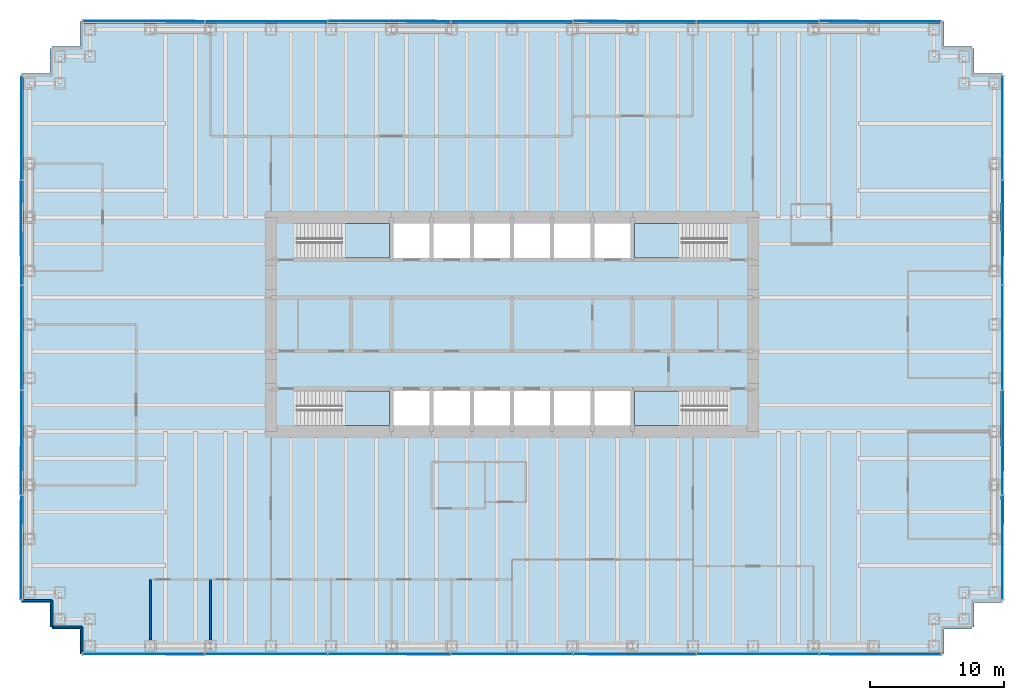
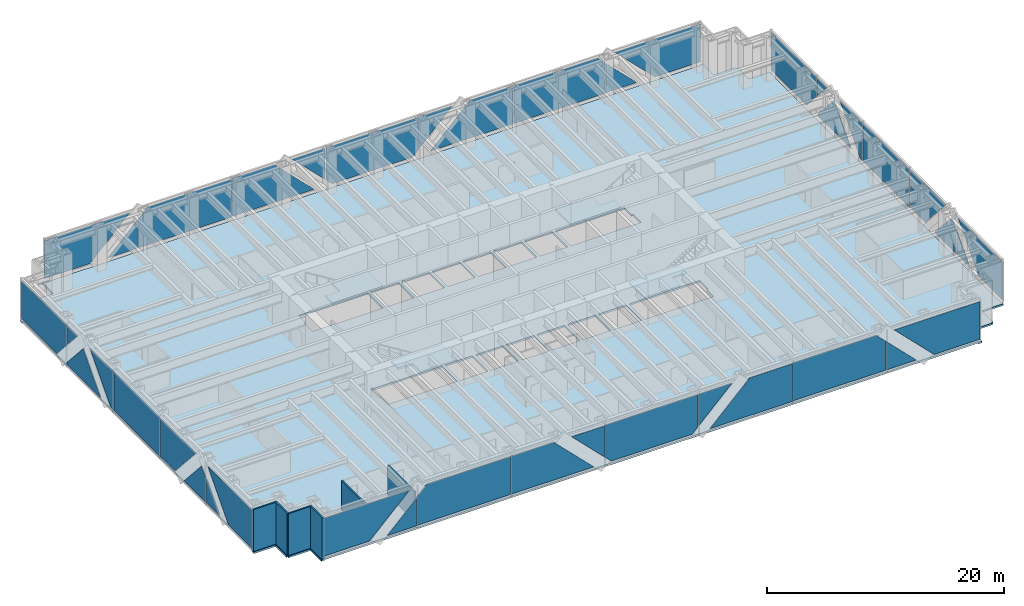
# One storey, part 8 of 13: 40 plates, 6 walls, 5 slabs, 8 elements without a shape of their own.
"""IFC4 building model written with IfcOpenShell, lengths in metres."""

from ifc_helpers import new_model, si_unit, direction, frame, frame_2d, origin, origin_2d, place, context, subcontext, project, spatial, polyline, rectangle, outline, extrude, material, layer, layer_set, type_object, element, aggregate, save


model = new_model("IFC4")

# Units and contexts
model_context = context("Model", 3, precision=1e-05, world=origin(), true_north=direction((0.0, 1.0)))
body_context = subcontext(model_context, "Body", "Model", "MODEL_VIEW")
ifc_project = project(units=[si_unit("LENGTHUNIT", "METRE"), si_unit("AREAUNIT", "SQUARE_METRE"), si_unit("VOLUMEUNIT", "CUBIC_METRE"), si_unit("PLANEANGLEUNIT", "RADIAN"), si_unit("MASSUNIT", "GRAM", prefix="KILO")], contexts=[model_context])

# Site, building, storey
site_placement = place(None, origin())
site = spatial("IfcSite", under=ifc_project, at=site_placement, CompositionType="ELEMENT")
building_placement = place(site_placement, origin())
building = spatial("IfcBuilding", under=site, at=building_placement, Name="Rheinbord Bourse Tower", CompositionType="ELEMENT")
storey_placement = place(building_placement, frame((0.0, 0.0, 68.0)))
storey = spatial("IfcBuildingStorey", under=building, at=storey_placement, Name="L14", CompositionType="ELEMENT", Elevation=68.0)

# Slab
ifc_material_1 = material(Name="Concrete C30/37", Category="concrete")
ifc_layer_1 = layer(ifc_material_1, 0.179931640625)
ifc_layer_set_1 = layer_set([ifc_layer_1], Name="COMPOSITE FLOOR SLAB 180")
slab_type_1 = type_object("IfcSlabType", Name="COMPOSITE FLOOR SLAB 180", PredefinedType="FLOOR", material=ifc_layer_set_1)
slab_1_placement = place(storey_placement, frame((0.0, 0.0, -0.179931640625)))
element("IfcSlab", 1, at=slab_1_placement, inside=storey, type_object=slab_type_1, Name="Floor slab L14", PredefinedType="FLOOR", context=body_context, shape_type="SweptSolid", body=[
    extrude(outline(polyline([(1.64990234375, 1.39990234375), (1.5, 1.39990234375), (1.5, 3.25), (-0.60009765625, 3.25), (-0.60009765625, 3.550048828125), (-0.5, 3.550048828125), (-0.5, 42.449951171875), (-0.60009765625, 42.449951171875), (-0.60009765625, 42.75), (1.5, 42.75), (1.5, 44.60009765625), (1.64990234375, 44.60009765625), (1.64990234375, 44.75), (3.75, 44.75), (3.75, 46.60009765625), (4.050048828125, 46.60009765625), (4.050048828125, 46.5), (67.949951171875, 46.5), (67.949951171875, 46.60009765625), (68.25, 46.60009765625), (68.25, 44.75), (70.35009765625, 44.75), (70.35009765625, 44.60009765625), (70.5, 44.60009765625), (70.5, 42.75), (72.60009765625, 42.75), (72.60009765625, 42.449951171875), (72.5, 42.449951171875), (72.5, 3.550048828125), (72.60009765625, 3.550048828125), (72.60009765625, 3.25), (70.5, 3.25), (70.5, 1.39990234375), (70.35009765625, 1.39990234375), (70.35009765625, 1.25), (68.25, 1.25), (68.25, -0.60009765625), (67.949951171875, -0.60009765625), (67.949951171875, -0.5), (4.050048828125, -0.5), (4.050048828125, -0.60009765625), (3.75, -0.60009765625), (3.75, 1.25), (1.64990234375, 1.25), (1.64990234375, 1.39990234375)]), holes=[polyline([(19.949951171875, 19.050048828125), (26.85009765625, 19.050048828125), (26.85009765625, 16.449951171875), (20.10009765625, 16.449951171875), (20.10009765625, 17.64990234375), (19.949951171875, 17.64990234375), (19.949951171875, 19.050048828125)]), polyline([(26.85009765625, 31.550048828125), (26.85009765625, 28.949951171875), (19.949951171875, 28.949951171875), (19.949951171875, 30.35009765625), (20.10009765625, 30.35009765625), (20.10009765625, 31.550048828125), (26.85009765625, 31.550048828125)]), polyline([(45.14990234375, 16.449951171875), (45.14990234375, 19.050048828125), (52.050048828125, 19.050048828125), (52.050048828125, 17.64990234375), (51.89990234375, 17.64990234375), (51.89990234375, 16.449951171875), (45.14990234375, 16.449951171875)]), polyline([(52.050048828125, 28.949951171875), (45.14990234375, 28.949951171875), (45.14990234375, 31.550048828125), (51.89990234375, 31.550048828125), (51.89990234375, 30.35009765625), (52.050048828125, 30.35009765625), (52.050048828125, 28.949951171875)]), polyline([(27.14990234375, 16.449951171875), (27.14990234375, 19.050048828125), (29.85009765625, 19.050048828125), (29.85009765625, 16.449951171875), (27.14990234375, 16.449951171875)]), polyline([(27.14990234375, 28.949951171875), (27.14990234375, 31.550048828125), (29.85009765625, 31.550048828125), (29.85009765625, 28.949951171875), (27.14990234375, 28.949951171875)]), polyline([(30.14990234375, 16.449951171875), (30.14990234375, 19.050048828125), (32.85009765625, 19.050048828125), (32.85009765625, 16.449951171875), (30.14990234375, 16.449951171875)]), polyline([(30.14990234375, 28.949951171875), (30.14990234375, 31.550048828125), (32.85009765625, 31.550048828125), (32.85009765625, 28.949951171875), (30.14990234375, 28.949951171875)]), polyline([(33.14990234375, 16.449951171875), (33.14990234375, 19.050048828125), (35.85009765625, 19.050048828125), (35.85009765625, 16.449951171875), (33.14990234375, 16.449951171875)]), polyline([(33.14990234375, 28.949951171875), (33.14990234375, 31.550048828125), (35.85009765625, 31.550048828125), (35.85009765625, 28.949951171875), (33.14990234375, 28.949951171875)]), polyline([(36.14990234375, 16.449951171875), (36.14990234375, 19.050048828125), (38.85009765625, 19.050048828125), (38.85009765625, 16.449951171875), (36.14990234375, 16.449951171875)]), polyline([(36.14990234375, 28.949951171875), (36.14990234375, 31.550048828125), (38.85009765625, 31.550048828125), (38.85009765625, 28.949951171875), (36.14990234375, 28.949951171875)]), polyline([(39.14990234375, 16.449951171875), (39.14990234375, 19.050048828125), (41.85009765625, 19.050048828125), (41.85009765625, 16.449951171875), (39.14990234375, 16.449951171875)]), polyline([(39.14990234375, 28.949951171875), (39.14990234375, 31.550048828125), (41.85009765625, 31.550048828125), (41.85009765625, 28.949951171875), (39.14990234375, 28.949951171875)]), polyline([(42.14990234375, 16.449951171875), (42.14990234375, 19.050048828125), (44.85009765625, 19.050048828125), (44.85009765625, 16.449951171875), (42.14990234375, 16.449951171875)]), polyline([(42.14990234375, 28.949951171875), (42.14990234375, 31.550048828125), (44.85009765625, 31.550048828125), (44.85009765625, 28.949951171875), (42.14990234375, 28.949951171875)])]), origin(), (0.0, 0.0, 1.0), 0.179931640625),
])

# Curtain wall, plates
ifc_material_2 = material(Name="Dark glass and black aluminium", Category="aluminium")
curtain_wall_type = type_object("IfcCurtainWallType", Name="CW1 DARK GLASS CURTAIN WALL", PredefinedType="USERDEFINED", material=ifc_material_2)
curtain_wall_1_placement = place(storey_placement, origin())
curtain_wall_1 = element("IfcCurtainWall", 2, at=curtain_wall_1_placement, inside=storey, type_object=curtain_wall_type, Name="Curtain wall CW1 S L14", ObjectType="UNITISED CURTAIN WALL", PredefinedType="USERDEFINED")
ifc_material_3 = material(Name="Dark tinted triple insulating glass", Category="glass")
ifc_layer_2 = layer(ifc_material_3, 0.0439453125)
ifc_layer_set_2 = layer_set([ifc_layer_2], Name="CW1 DARK GLASS PANEL")
plate_type = type_object("IfcPlateType", Name="CW1 DARK GLASS PANEL", PredefinedType="CURTAIN_PANEL", material=ifc_layer_set_2)
plate_1_placement = place(storey_placement, frame((3.97998046875, -0.6220703125, 0.300048828125), z_axis=(0.0, 1.0, 0.0), x_axis=(0.0, 0.0, 1.0)))
plate_1 = element("IfcPlate", 3, at=plate_1_placement, type_object=plate_type, Name="CW1 glass facet 1", PredefinedType="CURTAIN_PANEL", context=body_context, shape_type="SweptSolid", body=[
    extrude(outline(polyline([(0.0, 0.0), (3.89990234375, 0.0), (3.89990234375, 8.364013671875), (0.0, 4.464111328125), (0.0, 0.0)])), origin(), (0.0, 0.0, 1.0), 0.0439453125),
])
plate_2_placement = place(storey_placement, frame((13.031005859375, -0.6708984375, 0.300048828125), z_axis=(0.0, 1.0, 0.0), x_axis=(-1.0, 0.0, 0.0)))
plate_2 = element("IfcPlate", 4, at=plate_2_placement, type_object=plate_type, Name="CW1 glass facet 2", PredefinedType="CURTAIN_PANEL", context=body_context, shape_type="SweptSolid", body=[
    extrude(outline(polyline([(0.0, 0.0), (2.875, 0.0), (0.0, 2.8759765625), (0.0, 0.0)])), origin(), (0.0, 0.0, 1.0), 0.0439453125),
])
plate_3_placement = place(storey_placement, frame((22.202880859375, -0.6220703125, 4.199951171875), z_axis=(0.0, 1.0, 0.0), x_axis=(0.0, 0.0, -1.0)))
plate_3 = element("IfcPlate", 5, at=plate_3_placement, type_object=plate_type, Name="CW1 glass facet 1", PredefinedType="CURTAIN_PANEL", context=body_context, shape_type="SweptSolid", body=[
    extrude(outline(polyline([(0.0, 0.0), (3.89990234375, 0.0), (3.89990234375, 9.091796875), (0.94384765625, 9.091796875), (0.0, 8.14697265625), (0.0, 0.0)])), origin(), (0.0, 0.0, 1.0), 0.0439453125),
])
plate_4_placement = place(storey_placement, frame((22.282958984375, -0.6220703125, 0.300048828125), z_axis=(0.0, 1.0, 0.0), x_axis=(0.0, 0.0, 1.0)))
plate_4 = element("IfcPlate", 6, at=plate_4_placement, type_object=plate_type, Name="CW1 glass facet 1", PredefinedType="CURTAIN_PANEL", context=body_context, shape_type="SweptSolid", body=[
    extrude(outline(polyline([(0.0, 0.0), (3.89990234375, 0.0), (3.89990234375, 4.1611328125), (0.0, 8.06103515625), (0.0, 0.0)])), origin(), (0.0, 0.0, 1.0), 0.0439453125),
])
plate_5_placement = place(storey_placement, frame((31.3740234375, -0.6708984375, 4.199951171875), z_axis=(0.0, 1.0, 0.0), x_axis=(0.0, 0.0, -1.0)))
plate_5 = element("IfcPlate", 7, at=plate_5_placement, type_object=plate_type, Name="CW1 glass facet 2", PredefinedType="CURTAIN_PANEL", context=body_context, shape_type="SweptSolid", body=[
    extrude(outline(polyline([(0.0, 0.0), (3.218994140625, 0.0), (0.0, 3.218017578125), (0.0, 0.0)])), origin(), (0.0, 0.0, 1.0), 0.0439453125),
])
plate_6_placement = place(storey_placement, frame((32.055908203125, -0.6220703125, 0.300048828125), z_axis=(0.0, 1.0, 0.0), x_axis=(-0.707680731212, 0.0, 0.706532364914)))
plate_6 = element("IfcPlate", 8, at=plate_6_placement, type_object=plate_type, Name="CW1 glass facet 1", PredefinedType="CURTAIN_PANEL", context=body_context, shape_type="SweptSolid", body=[
    extrude(outline(polyline([(0.0, 0.0), (0.850341796875, 0.0), (3.181396484375, 2.334716796875), (-3.252685546875, 8.75830078125), (-5.583740234375, 6.423583984375), (-5.582275390625, 5.5732421875), (0.0, 0.0)])), origin(), (0.0, 0.0, 1.0), 0.0439453125),
])
plate_7_placement = place(storey_placement, frame((40.6259765625, -0.6220703125, 4.199951171875), z_axis=(0.0, 1.0, 0.0), x_axis=(1.0, 0.0, 0.0)))
plate_7 = element("IfcPlate", 9, at=plate_7_placement, type_object=plate_type, Name="CW1 glass facet 1", PredefinedType="CURTAIN_PANEL", context=body_context, shape_type="SweptSolid", body=[
    extrude(outline(polyline([(0.0, 0.0), (3.218017578125, 0.0), (0.0, 3.218994140625), (0.0, 0.0)])), origin(), (0.0, 0.0, 1.0), 0.0439453125),
])
plate_8_placement = place(storey_placement, frame((49.717041015625, -0.6708984375, 4.199951171875), z_axis=(0.0, 1.0, 0.0), x_axis=(0.0, 0.0, -1.0)))
plate_8 = element("IfcPlate", 10, at=plate_8_placement, type_object=plate_type, Name="CW1 glass facet 2", PredefinedType="CURTAIN_PANEL", context=body_context, shape_type="SweptSolid", body=[
    extrude(outline(polyline([(0.0, 0.0), (3.89990234375, 0.0), (3.89990234375, 8.06103515625), (0.0, 4.1611328125), (0.0, 0.0)])), origin(), (0.0, 0.0, 1.0), 0.0439453125),
])
plate_9_placement = place(storey_placement, frame((58.888916015625, -0.6220703125, 0.300048828125), z_axis=(0.0, 1.0, 0.0), x_axis=(-1.0, 0.0, 0.0)))
plate_9 = element("IfcPlate", 11, at=plate_9_placement, type_object=plate_type, Name="CW1 glass facet 1", PredefinedType="CURTAIN_PANEL", context=body_context, shape_type="SweptSolid", body=[
    extrude(outline(polyline([(0.0, 0.0), (9.091796875, 0.0), (9.091796875, 3.89990234375), (0.94482421875, 3.89990234375), (0.0, 2.9560546875), (0.0, 0.0)])), origin(), (0.0, 0.0, 1.0), 0.0439453125),
])
plate_10_placement = place(storey_placement, frame((58.968994140625, -0.6220703125, 0.300048828125), z_axis=(0.0, 1.0, 0.0), x_axis=(0.0, 0.0, 1.0)))
plate_10 = element("IfcPlate", 12, at=plate_10_placement, type_object=plate_type, Name="CW1 glass facet 1", PredefinedType="CURTAIN_PANEL", context=body_context, shape_type="SweptSolid", body=[
    extrude(outline(polyline([(0.0, 0.0), (2.8759765625, 0.0), (0.0, 2.875), (0.0, 0.0)])), origin(), (0.0, 0.0, 1.0), 0.0439453125),
])
plate_11_placement = place(storey_placement, frame((68.02001953125, -0.6708984375, 4.199951171875), z_axis=(0.0, 1.0, 0.0), x_axis=(0.0, 0.0, -1.0)))
plate_11 = element("IfcPlate", 13, at=plate_11_placement, type_object=plate_type, Name="CW1 glass facet 2", PredefinedType="CURTAIN_PANEL", context=body_context, shape_type="SweptSolid", body=[
    extrude(outline(polyline([(0.0, 0.0), (3.89990234375, 0.0), (3.89990234375, 4.464111328125), (0.0, 8.364013671875), (0.0, 0.0)])), origin(), (0.0, 0.0, 1.0), 0.0439453125),
])
aggregate(curtain_wall_1, [plate_1, plate_2, plate_3, plate_4, plate_5, plate_6, plate_7, plate_8, plate_9, plate_10, plate_11])

curtain_wall_2_placement = place(storey_placement, origin())
curtain_wall_2 = element("IfcCurtainWall", 14, at=curtain_wall_2_placement, inside=storey, type_object=curtain_wall_type, Name="Curtain wall CW1 E L14", ObjectType="UNITISED CURTAIN WALL", PredefinedType="USERDEFINED")
plate_12_placement = place(storey_placement, frame((72.60009765625, 23.0, 0.300048828125), z_axis=(0.0, 0.0, 1.0), x_axis=(0.0, 1.0, 0.0)))
plate_12 = element("IfcPlate", 15, at=plate_12_placement, type_object=plate_type, Name="CW1 panel 3.1", PredefinedType="CURTAIN_PANEL", context=body_context, shape_type="SweptSolid", body=[
    extrude(rectangle(XDim=7.760009765625, YDim=0.0439453125, at=origin_2d()), origin(), (0.0, 0.0, 1.0), 3.89990234375),
])
plate_13_placement = place(storey_placement, frame((72.6220703125, 3.47998046875, 0.300048828125), z_axis=(-1.0, 0.0, 0.0), x_axis=(0.0, 0.0, 1.0)))
plate_13 = element("IfcPlate", 16, at=plate_13_placement, type_object=plate_type, Name="CW1 glass facet 1", PredefinedType="CURTAIN_PANEL", context=body_context, shape_type="SweptSolid", body=[
    extrude(outline(polyline([(0.0, 0.0), (3.89990234375, 0.0), (3.89990234375, 7.444091796875), (0.0, 3.97705078125), (0.0, 0.0)])), origin(), (0.0, 0.0, 1.0), 0.0439453125),
])
plate_14_placement = place(storey_placement, frame((72.6708984375, 11.199951171875, 0.300048828125), z_axis=(-1.0, 0.0, 0.0), x_axis=(0.0, -1.0, 0.0)))
plate_14 = element("IfcPlate", 17, at=plate_14_placement, type_object=plate_type, Name="CW1 glass facet 2", PredefinedType="CURTAIN_PANEL", context=body_context, shape_type="SweptSolid", body=[
    extrude(outline(polyline([(0.0, 0.0), (2.1240234375, 0.0), (0.0, 2.388916015625), (0.0, 0.0)])), origin(), (0.0, 0.0, 1.0), 0.0439453125),
])
plate_15_placement = place(storey_placement, frame((72.6220703125, 11.280029296875, 0.300048828125), z_axis=(-1.0, 0.0, 0.0), x_axis=(0.0, 0.0, 1.0)))
plate_15 = element("IfcPlate", 18, at=plate_15_placement, type_object=plate_type, Name="CW1 glass facet 1", PredefinedType="CURTAIN_PANEL", context=body_context, shape_type="SweptSolid", body=[
    extrude(outline(polyline([(0.0, 0.0), (2.47900390625, 0.0), (3.2890625, 0.719970703125), (0.0, 3.64404296875), (0.0, 0.0)])), origin(), (0.0, 0.0, 1.0), 0.0439453125),
])
plate_16_placement = place(storey_placement, frame((72.6708984375, 19.0400390625, 4.199951171875), z_axis=(-1.0, 0.0, 0.0), x_axis=(0.0, 0.0, -1.0)))
plate_16 = element("IfcPlate", 19, at=plate_16_placement, type_object=plate_type, Name="CW1 glass facet 2", PredefinedType="CURTAIN_PANEL", context=body_context, shape_type="SweptSolid", body=[
    extrude(outline(polyline([(0.0, 0.0), (3.89990234375, 0.0), (3.89990234375, 2.4970703125), (0.0, 5.964111328125), (0.0, 0.0)])), origin(), (0.0, 0.0, 1.0), 0.0439453125),
])
plate_17_placement = place(storey_placement, frame((72.6220703125, 26.9599609375, 0.300048828125), z_axis=(-1.0, 0.0, 0.0), x_axis=(0.0, 0.0, 1.0)))
plate_17 = element("IfcPlate", 20, at=plate_17_placement, type_object=plate_type, Name="CW1 glass facet 1", PredefinedType="CURTAIN_PANEL", context=body_context, shape_type="SweptSolid", body=[
    extrude(outline(polyline([(0.0, 0.0), (3.89990234375, 0.0), (3.89990234375, 3.964111328125), (0.0, 0.4970703125), (0.0, 0.0)])), origin(), (0.0, 0.0, 1.0), 0.0439453125),
])
plate_18_placement = place(storey_placement, frame((72.6708984375, 34.719970703125, 0.300048828125), z_axis=(-1.0, 0.0, 0.0), x_axis=(0.0, -1.0, 0.0)))
plate_18 = element("IfcPlate", 21, at=plate_18_placement, type_object=plate_type, Name="CW1 glass facet 2", PredefinedType="CURTAIN_PANEL", context=body_context, shape_type="SweptSolid", body=[
    extrude(outline(polyline([(0.0, 0.0), (5.64404296875, 0.0), (2.719970703125, 3.2890625), (0.0, 0.22900390625), (0.0, 0.0)])), origin(), (0.0, 0.0, 1.0), 0.0439453125),
])
plate_19_placement = place(storey_placement, frame((72.6220703125, 34.719970703125, 4.199951171875), z_axis=(-1.0, 0.0, 0.0), x_axis=(0.0, 0.0, -1.0)))
plate_19 = element("IfcPlate", 22, at=plate_19_placement, type_object=plate_type, Name="CW1 glass facet 3", PredefinedType="CURTAIN_PANEL", context=body_context, shape_type="SweptSolid", body=[
    extrude(outline(polyline([(0.0, 0.0), (1.848876953125, 0.0), (0.0, 1.64404296875), (0.0, 0.0)])), origin(), (0.0, 0.0, 1.0), 0.0439453125),
])
plate_20_placement = place(storey_placement, frame((72.6220703125, 34.800048828125, 4.199951171875), z_axis=(-1.0, 0.0, 0.0), x_axis=(0.0, 1.0, 0.0)))
plate_20 = element("IfcPlate", 23, at=plate_20_placement, type_object=plate_type, Name="CW1 glass facet 1", PredefinedType="CURTAIN_PANEL", context=body_context, shape_type="SweptSolid", body=[
    extrude(outline(polyline([(0.0, 0.0), (7.719970703125, 0.0), (7.719970703125, 3.89990234375), (1.742919921875, 3.89990234375), (0.0, 1.93896484375), (0.0, 0.0)])), origin(), (0.0, 0.0, 1.0), 0.0439453125),
])
aggregate(curtain_wall_2, [plate_12, plate_13, plate_14, plate_15, plate_16, plate_17, plate_18, plate_19, plate_20])

curtain_wall_3_placement = place(storey_placement, origin())
curtain_wall_3 = element("IfcCurtainWall", 24, at=curtain_wall_3_placement, inside=storey, type_object=curtain_wall_type, Name="Curtain wall CW1 N L14", ObjectType="UNITISED CURTAIN WALL", PredefinedType="USERDEFINED")
plate_21_placement = place(storey_placement, frame((68.02001953125, 46.6220703125, 0.300048828125), z_axis=(0.0, -1.0, 0.0), x_axis=(0.0, 0.0, 1.0)))
plate_21 = element("IfcPlate", 25, at=plate_21_placement, type_object=plate_type, Name="CW1 glass facet 1", PredefinedType="CURTAIN_PANEL", context=body_context, shape_type="SweptSolid", body=[
    extrude(outline(polyline([(0.0, 0.0), (3.89990234375, 0.0), (3.89990234375, 8.364013671875), (0.0, 4.464111328125), (0.0, 0.0)])), origin(), (0.0, 0.0, 1.0), 0.0439453125),
])
plate_22_placement = place(storey_placement, frame((58.968994140625, 46.6708984375, 0.300048828125), z_axis=(0.0, -1.0, 0.0), x_axis=(1.0, 0.0, 0.0)))
plate_22 = element("IfcPlate", 26, at=plate_22_placement, type_object=plate_type, Name="CW1 glass facet 2", PredefinedType="CURTAIN_PANEL", context=body_context, shape_type="SweptSolid", body=[
    extrude(outline(polyline([(0.0, 0.0), (2.875, 0.0), (0.0, 2.8759765625), (0.0, 0.0)])), origin(), (0.0, 0.0, 1.0), 0.0439453125),
])
plate_23_placement = place(storey_placement, frame((49.797119140625, 46.6220703125, 4.199951171875), z_axis=(0.0, -1.0, 0.0), x_axis=(0.0, 0.0, -1.0)))
plate_23 = element("IfcPlate", 27, at=plate_23_placement, type_object=plate_type, Name="CW1 glass facet 1", PredefinedType="CURTAIN_PANEL", context=body_context, shape_type="SweptSolid", body=[
    extrude(outline(polyline([(0.0, 0.0), (3.89990234375, 0.0), (3.89990234375, 9.091796875), (0.94384765625, 9.091796875), (0.0, 8.14697265625), (0.0, 0.0)])), origin(), (0.0, 0.0, 1.0), 0.0439453125),
])
plate_24_placement = place(storey_placement, frame((49.717041015625, 46.6220703125, 0.300048828125), z_axis=(0.0, -1.0, 0.0), x_axis=(0.0, 0.0, 1.0)))
plate_24 = element("IfcPlate", 28, at=plate_24_placement, type_object=plate_type, Name="CW1 glass facet 1", PredefinedType="CURTAIN_PANEL", context=body_context, shape_type="SweptSolid", body=[
    extrude(outline(polyline([(0.0, 0.0), (3.89990234375, 0.0), (3.89990234375, 4.1611328125), (0.0, 8.06103515625), (0.0, 0.0)])), origin(), (0.0, 0.0, 1.0), 0.0439453125),
])
plate_25_placement = place(storey_placement, frame((40.6259765625, 46.6708984375, 4.199951171875), z_axis=(0.0, -1.0, 0.0), x_axis=(0.0, 0.0, -1.0)))
plate_25 = element("IfcPlate", 29, at=plate_25_placement, type_object=plate_type, Name="CW1 glass facet 2", PredefinedType="CURTAIN_PANEL", context=body_context, shape_type="SweptSolid", body=[
    extrude(outline(polyline([(0.0, 0.0), (3.218994140625, 0.0), (0.0, 3.218017578125), (0.0, 0.0)])), origin(), (0.0, 0.0, 1.0), 0.0439453125),
])
plate_26_placement = place(storey_placement, frame((39.944091796875, 46.6220703125, 0.300048828125), z_axis=(0.0, -1.0, 0.0), x_axis=(0.707680731212, 0.0, 0.706532364914)))
plate_26 = element("IfcPlate", 30, at=plate_26_placement, type_object=plate_type, Name="CW1 glass facet 1", PredefinedType="CURTAIN_PANEL", context=body_context, shape_type="SweptSolid", body=[
    extrude(outline(polyline([(0.0, 0.0), (0.850341796875, 0.0), (3.181396484375, 2.334716796875), (-3.252685546875, 8.75830078125), (-5.583740234375, 6.423583984375), (-5.582275390625, 5.5732421875), (0.0, 0.0)])), origin(), (0.0, 0.0, 1.0), 0.0439453125),
])
plate_27_placement = place(storey_placement, frame((31.3740234375, 46.6220703125, 4.199951171875), z_axis=(0.0, -1.0, 0.0), x_axis=(-1.0, 0.0, 0.0)))
plate_27 = element("IfcPlate", 31, at=plate_27_placement, type_object=plate_type, Name="CW1 glass facet 1", PredefinedType="CURTAIN_PANEL", context=body_context, shape_type="SweptSolid", body=[
    extrude(outline(polyline([(0.0, 0.0), (3.218017578125, 0.0), (0.0, 3.218994140625), (0.0, 0.0)])), origin(), (0.0, 0.0, 1.0), 0.0439453125),
])
plate_28_placement = place(storey_placement, frame((22.282958984375, 46.6708984375, 4.199951171875), z_axis=(0.0, -1.0, 0.0), x_axis=(0.0, 0.0, -1.0)))
plate_28 = element("IfcPlate", 32, at=plate_28_placement, type_object=plate_type, Name="CW1 glass facet 2", PredefinedType="CURTAIN_PANEL", context=body_context, shape_type="SweptSolid", body=[
    extrude(outline(polyline([(0.0, 0.0), (3.89990234375, 0.0), (3.89990234375, 8.06103515625), (0.0, 4.1611328125), (0.0, 0.0)])), origin(), (0.0, 0.0, 1.0), 0.0439453125),
])
plate_29_placement = place(storey_placement, frame((13.111083984375, 46.6220703125, 0.300048828125), z_axis=(0.0, -1.0, 0.0), x_axis=(1.0, 0.0, 0.0)))
plate_29 = element("IfcPlate", 33, at=plate_29_placement, type_object=plate_type, Name="CW1 glass facet 1", PredefinedType="CURTAIN_PANEL", context=body_context, shape_type="SweptSolid", body=[
    extrude(outline(polyline([(0.0, 0.0), (9.091796875, 0.0), (9.091796875, 3.89990234375), (0.94482421875, 3.89990234375), (0.0, 2.9560546875), (0.0, 0.0)])), origin(), (0.0, 0.0, 1.0), 0.0439453125),
])
plate_30_placement = place(storey_placement, frame((13.031005859375, 46.6220703125, 0.300048828125), z_axis=(0.0, -1.0, 0.0), x_axis=(0.0, 0.0, 1.0)))
plate_30 = element("IfcPlate", 34, at=plate_30_placement, type_object=plate_type, Name="CW1 glass facet 1", PredefinedType="CURTAIN_PANEL", context=body_context, shape_type="SweptSolid", body=[
    extrude(outline(polyline([(0.0, 0.0), (2.8759765625, 0.0), (0.0, 2.875), (0.0, 0.0)])), origin(), (0.0, 0.0, 1.0), 0.0439453125),
])
plate_31_placement = place(storey_placement, frame((3.97998046875, 46.6708984375, 4.199951171875), z_axis=(0.0, -1.0, 0.0), x_axis=(0.0, 0.0, -1.0)))
plate_31 = element("IfcPlate", 35, at=plate_31_placement, type_object=plate_type, Name="CW1 glass facet 2", PredefinedType="CURTAIN_PANEL", context=body_context, shape_type="SweptSolid", body=[
    extrude(outline(polyline([(0.0, 0.0), (3.89990234375, 0.0), (3.89990234375, 4.464111328125), (0.0, 8.364013671875), (0.0, 0.0)])), origin(), (0.0, 0.0, 1.0), 0.0439453125),
])
aggregate(curtain_wall_3, [plate_21, plate_22, plate_23, plate_24, plate_25, plate_26, plate_27, plate_28, plate_29, plate_30, plate_31])

curtain_wall_4_placement = place(storey_placement, origin())
curtain_wall_4 = element("IfcCurtainWall", 36, at=curtain_wall_4_placement, inside=storey, type_object=curtain_wall_type, Name="Curtain wall CW1 W L14", ObjectType="UNITISED CURTAIN WALL", PredefinedType="USERDEFINED")
plate_32_placement = place(storey_placement, frame((-0.60009765625, 23.0, 0.300048828125), z_axis=(0.0, 0.0, 1.0), x_axis=(0.0, -1.0, 0.0)))
plate_32 = element("IfcPlate", 37, at=plate_32_placement, type_object=plate_type, Name="CW1 panel 3.1", PredefinedType="CURTAIN_PANEL", context=body_context, shape_type="SweptSolid", body=[
    extrude(rectangle(XDim=7.760009765625, YDim=0.0439453125, at=origin_2d()), origin(), (0.0, 0.0, 1.0), 3.89990234375),
])
plate_33_placement = place(storey_placement, frame((-0.6220703125, 42.52001953125, 0.300048828125), z_axis=(1.0, 0.0, 0.0), x_axis=(0.0, 0.0, 1.0)))
plate_33 = element("IfcPlate", 38, at=plate_33_placement, type_object=plate_type, Name="CW1 glass facet 1", PredefinedType="CURTAIN_PANEL", context=body_context, shape_type="SweptSolid", body=[
    extrude(outline(polyline([(0.0, 0.0), (3.89990234375, 0.0), (3.89990234375, 7.719970703125), (1.9609375, 7.719970703125), (0.0, 5.97705078125), (0.0, 0.0)])), origin(), (0.0, 0.0, 1.0), 0.0439453125),
])
plate_34_placement = place(storey_placement, frame((-0.6220703125, 34.719970703125, 4.199951171875), z_axis=(1.0, 0.0, 0.0), x_axis=(0.0, -1.0, 0.0)))
plate_34 = element("IfcPlate", 39, at=plate_34_placement, type_object=plate_type, Name="CW1 glass facet 1", PredefinedType="CURTAIN_PANEL", context=body_context, shape_type="SweptSolid", body=[
    extrude(outline(polyline([(0.0, 0.0), (1.64404296875, 0.0), (0.0, 1.848876953125), (0.0, 0.0)])), origin(), (0.0, 0.0, 1.0), 0.0439453125),
])
plate_35_placement = place(storey_placement, frame((-0.6708984375, 34.719970703125, 0.300048828125), z_axis=(1.0, 0.0, 0.0), x_axis=(0.0, 0.0, 1.0)))
plate_35 = element("IfcPlate", 40, at=plate_35_placement, type_object=plate_type, Name="CW1 glass facet 2", PredefinedType="CURTAIN_PANEL", context=body_context, shape_type="SweptSolid", body=[
    extrude(outline(polyline([(0.0, 0.0), (0.22900390625, 0.0), (3.2890625, 2.719970703125), (0.0, 5.64404296875), (0.0, 0.0)])), origin(), (0.0, 0.0, 1.0), 0.0439453125),
])
plate_36_placement = place(storey_placement, frame((-0.6220703125, 26.9599609375, 4.199951171875), z_axis=(1.0, 0.0, 0.0), x_axis=(0.0, 0.0, -1.0)))
plate_36 = element("IfcPlate", 41, at=plate_36_placement, type_object=plate_type, Name="CW1 glass facet 3", PredefinedType="CURTAIN_PANEL", context=body_context, shape_type="SweptSolid", body=[
    extrude(outline(polyline([(0.0, 0.0), (3.89990234375, 0.0), (3.89990234375, 0.4970703125), (0.0, 3.964111328125), (0.0, 0.0)])), origin(), (0.0, 0.0, 1.0), 0.0439453125),
])
plate_37_placement = place(storey_placement, frame((-0.6220703125, 19.0400390625, 0.300048828125), z_axis=(1.0, 0.0, 0.0), x_axis=(0.0, 0.0, 1.0)))
plate_37 = element("IfcPlate", 42, at=plate_37_placement, type_object=plate_type, Name="CW1 glass facet 1", PredefinedType="CURTAIN_PANEL", context=body_context, shape_type="SweptSolid", body=[
    extrude(outline(polyline([(0.0, 0.0), (3.89990234375, 0.0), (3.89990234375, 5.964111328125), (0.0, 2.4970703125), (0.0, 0.0)])), origin(), (0.0, 0.0, 1.0), 0.0439453125),
])
plate_38_placement = place(storey_placement, frame((-0.6708984375, 11.280029296875, 0.300048828125), z_axis=(1.0, 0.0, 0.0), x_axis=(0.0, 1.0, 0.0)))
plate_38 = element("IfcPlate", 43, at=plate_38_placement, type_object=plate_type, Name="CW1 glass facet 2", PredefinedType="CURTAIN_PANEL", context=body_context, shape_type="SweptSolid", body=[
    extrude(outline(polyline([(0.0, 0.0), (3.64404296875, 0.0), (0.719970703125, 3.2890625), (0.0, 2.47900390625), (0.0, 0.0)])), origin(), (0.0, 0.0, 1.0), 0.0439453125),
])
plate_39_placement = place(storey_placement, frame((-0.6220703125, 11.199951171875, 0.300048828125), z_axis=(1.0, 0.0, 0.0), x_axis=(0.0, 0.0, 1.0)))
plate_39 = element("IfcPlate", 44, at=plate_39_placement, type_object=plate_type, Name="CW1 glass facet 1", PredefinedType="CURTAIN_PANEL", context=body_context, shape_type="SweptSolid", body=[
    extrude(outline(polyline([(0.0, 0.0), (2.388916015625, 0.0), (0.0, 2.1240234375), (0.0, 0.0)])), origin(), (0.0, 0.0, 1.0), 0.0439453125),
])
plate_40_placement = place(storey_placement, frame((-0.6708984375, 3.47998046875, 4.199951171875), z_axis=(1.0, 0.0, 0.0), x_axis=(0.0, 0.0, -1.0)))
plate_40 = element("IfcPlate", 45, at=plate_40_placement, type_object=plate_type, Name="CW1 glass facet 2", PredefinedType="CURTAIN_PANEL", context=body_context, shape_type="SweptSolid", body=[
    extrude(outline(polyline([(0.0, 0.0), (3.89990234375, 0.0), (3.89990234375, 3.97705078125), (0.0, 7.444091796875), (0.0, 0.0)])), origin(), (0.0, 0.0, 1.0), 0.0439453125),
])
aggregate(curtain_wall_4, [plate_32, plate_33, plate_34, plate_35, plate_36, plate_37, plate_38, plate_39, plate_40])

# Stair, slab
ifc_material_4 = material(Name="Concrete C30/37", Category="concrete")
stair_type = type_object("IfcStairType", Name="CORE STAIR HALF TURN 4500", PredefinedType="HALF_TURN_STAIR", material=ifc_material_4)
stair_1_placement = place(storey_placement, origin())
stair_1 = element("IfcStair", 46, at=stair_1_placement, inside=storey, type_object=stair_type, Name="Stair ST1 L14, type CS4", PredefinedType="HALF_TURN_STAIR")
ifc_material_5 = material(Name="Concrete C30/37", Category="concrete")
ifc_layer_3 = layer(ifc_material_5, 0.199951171875)
ifc_layer_set_3 = layer_set([ifc_layer_3], Name="STAIR LANDING 200")
slab_type_2 = type_object("IfcSlabType", Name="STAIR LANDING 200", PredefinedType="LANDING", material=ifc_layer_set_3)
slab_2_placement = place(storey_placement, frame((0.0, 0.0, 2.050048828125)))
slab_2 = element("IfcSlab", 47, at=slab_2_placement, type_object=slab_type_2, Name="Half landing ST1 L14", PredefinedType="LANDING", context=body_context, shape_type="SweptSolid", body=[
    extrude(outline(polyline([(23.31005859375, 16.449951171875), (26.85009765625, 16.449951171875), (26.85009765625, 19.050048828125), (21.916015625, 19.050048828125), (21.916015625, 17.85009765625), (23.31005859375, 17.85009765625), (23.31005859375, 16.449951171875)])), origin(), (0.0, 0.0, 1.0), 0.199951171875),
])
aggregate(stair_1, [slab_2])

stair_2_placement = place(storey_placement, origin())
stair_2 = element("IfcStair", 48, at=stair_2_placement, inside=storey, type_object=stair_type, Name="Stair ST2 L14, type CS4", PredefinedType="HALF_TURN_STAIR")
slab_3_placement = place(storey_placement, frame((0.0, 0.0, 2.050048828125)))
slab_3 = element("IfcSlab", 49, at=slab_3_placement, type_object=slab_type_2, Name="Half landing ST2 L14", PredefinedType="LANDING", context=body_context, shape_type="SweptSolid", body=[
    extrude(outline(polyline([(21.916015625, 28.949951171875), (26.85009765625, 28.949951171875), (26.85009765625, 31.550048828125), (23.31005859375, 31.550048828125), (23.31005859375, 30.14990234375), (21.916015625, 30.14990234375), (21.916015625, 28.949951171875)])), origin(), (0.0, 0.0, 1.0), 0.199951171875),
])
aggregate(stair_2, [slab_3])

stair_3_placement = place(storey_placement, origin())
stair_3 = element("IfcStair", 50, at=stair_3_placement, inside=storey, type_object=stair_type, Name="Stair ST3 L14, type CS4", PredefinedType="HALF_TURN_STAIR")
slab_4_placement = place(storey_placement, frame((0.0, 0.0, 2.050048828125)))
slab_4 = element("IfcSlab", 51, at=slab_4_placement, type_object=slab_type_2, Name="Half landing ST3 L14", PredefinedType="LANDING", context=body_context, shape_type="SweptSolid", body=[
    extrude(outline(polyline([(45.14990234375, 16.449951171875), (48.68994140625, 16.449951171875), (48.68994140625, 17.85009765625), (50.083984375, 17.85009765625), (50.083984375, 19.050048828125), (45.14990234375, 19.050048828125), (45.14990234375, 16.449951171875)])), origin(), (0.0, 0.0, 1.0), 0.199951171875),
])
aggregate(stair_3, [slab_4])

stair_4_placement = place(storey_placement, origin())
stair_4 = element("IfcStair", 52, at=stair_4_placement, inside=storey, type_object=stair_type, Name="Stair ST4 L14, type CS4", PredefinedType="HALF_TURN_STAIR")
slab_5_placement = place(storey_placement, frame((0.0, 0.0, 2.050048828125)))
slab_5 = element("IfcSlab", 53, at=slab_5_placement, type_object=slab_type_2, Name="Half landing ST4 L14", PredefinedType="LANDING", context=body_context, shape_type="SweptSolid", body=[
    extrude(outline(polyline([(45.14990234375, 28.949951171875), (50.083984375, 28.949951171875), (50.083984375, 30.14990234375), (48.68994140625, 30.14990234375), (48.68994140625, 31.550048828125), (45.14990234375, 31.550048828125), (45.14990234375, 28.949951171875)])), origin(), (0.0, 0.0, 1.0), 0.199951171875),
])
aggregate(stair_4, [slab_5])

# Walls
ifc_material_6 = material(Name="Black metal rainscreen panel", Category="aluminium")
ifc_layer_4 = layer(ifc_material_6, 0.14990234375)
ifc_layer_set_4 = layer_set([ifc_layer_4], Name="CORNER PIER CLADDING 150")
wall_type_1 = type_object("IfcWallType", Name="CORNER PIER CLADDING 150", PredefinedType="ELEMENTEDWALL", material=ifc_layer_set_4)
wall_1_placement = place(storey_placement, frame((-0.60009765625, 3.39990234375, 0.0), z_axis=(0.0, 0.0, 1.0), x_axis=(1.0, 0.0, 0.0)))
element("IfcWall", 54, at=wall_1_placement, inside=storey, type_object=wall_type_1, Name="Corner pier cladding L14 17", PredefinedType="ELEMENTEDWALL", context=body_context, shape_type="SweptSolid", body=[
    extrude(rectangle(XDim=2.25, YDim=0.14990234375, at=frame_2d((1.125, 0.0))), origin(), (0.0, 0.0, 1.0), 4.320068359375),
])
wall_2_placement = place(storey_placement, frame((1.64990234375, 3.39990234375, 0.0), z_axis=(0.0, 0.0, 1.0), x_axis=(0.0, -1.0, 0.0)))
element("IfcWall", 55, at=wall_2_placement, inside=storey, type_object=wall_type_1, Name="Corner pier cladding L14 18", PredefinedType="ELEMENTEDWALL", context=body_context, shape_type="SweptSolid", body=[
    extrude(rectangle(XDim=2.0, YDim=0.14990234375, at=frame_2d((1.0, 0.0))), origin(), (0.0, 0.0, 1.0), 4.320068359375),
])
wall_3_placement = place(storey_placement, frame((1.64990234375, 1.39990234375, 0.0), z_axis=(0.0, 0.0, 1.0), x_axis=(1.0, 0.0, 0.0)))
element("IfcWall", 56, at=wall_3_placement, inside=storey, type_object=wall_type_1, Name="Corner pier cladding L14 19", PredefinedType="ELEMENTEDWALL", context=body_context, shape_type="SweptSolid", body=[
    extrude(rectangle(XDim=2.25, YDim=0.14990234375, at=frame_2d((1.125, 0.0))), origin(), (0.0, 0.0, 1.0), 4.320068359375),
])
wall_4_placement = place(storey_placement, frame((3.89990234375, 1.39990234375, 0.0), z_axis=(0.0, 0.0, 1.0), x_axis=(0.0, -1.0, 0.0)))
element("IfcWall", 57, at=wall_4_placement, inside=storey, type_object=wall_type_1, Name="Corner pier cladding L14 20", PredefinedType="ELEMENTEDWALL", context=body_context, shape_type="SweptSolid", body=[
    extrude(rectangle(XDim=2.0, YDim=0.14990234375, at=frame_2d((1.0, 0.0))), origin(), (0.0, 0.0, 1.0), 4.320068359375),
])
ifc_material_7 = material(Name="Gypsum board partition", Category="gypsum board")
ifc_layer_5 = layer(ifc_material_7, 0.14990234375)
ifc_layer_set_5 = layer_set([ifc_layer_5], Name="PARTITION 150")
wall_type_2 = type_object("IfcWallType", Name="PARTITION 150", PredefinedType="PARTITIONING", material=ifc_layer_set_5)
for number, where, z_axis, x_axis, name in (
    (58, (9.0, 0.449951171875, 0.0), (0.0, 0.0, 1.0), (0.0, 1.0, 0.0), "Partition L14-22"),
    (59, (13.5, 0.449951171875, 0.0), (0.0, 0.0, 1.0), (0.0, 1.0, 0.0), "Partition L14-23"),
):
    element("IfcWall", number, at=place(storey_placement, frame(where, z_axis=z_axis, x_axis=x_axis)), inside=storey, type_object=wall_type_2, Name=name, PredefinedType="PARTITIONING", context=body_context, shape_type="SweptSolid", body=[
        extrude(rectangle(XDim=4.5, YDim=0.14990234375, at=frame_2d((2.25, 0.0))), origin(), (0.0, 0.0, 1.0), 3.0),
    ])

save(model, "model.ifc")
